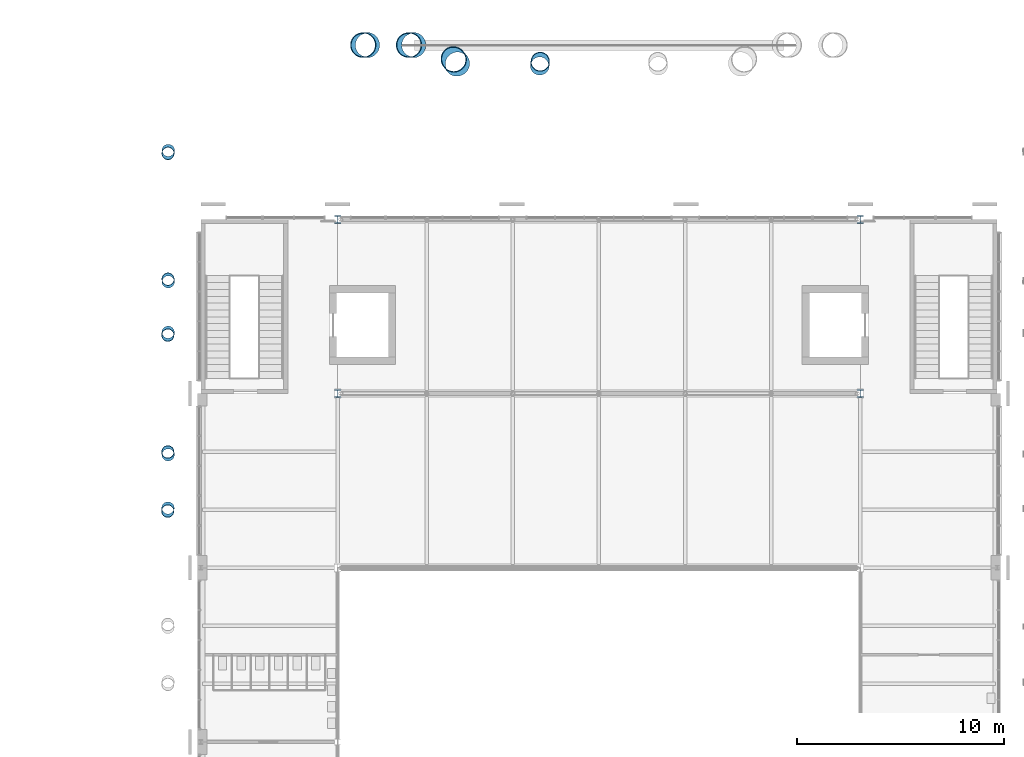
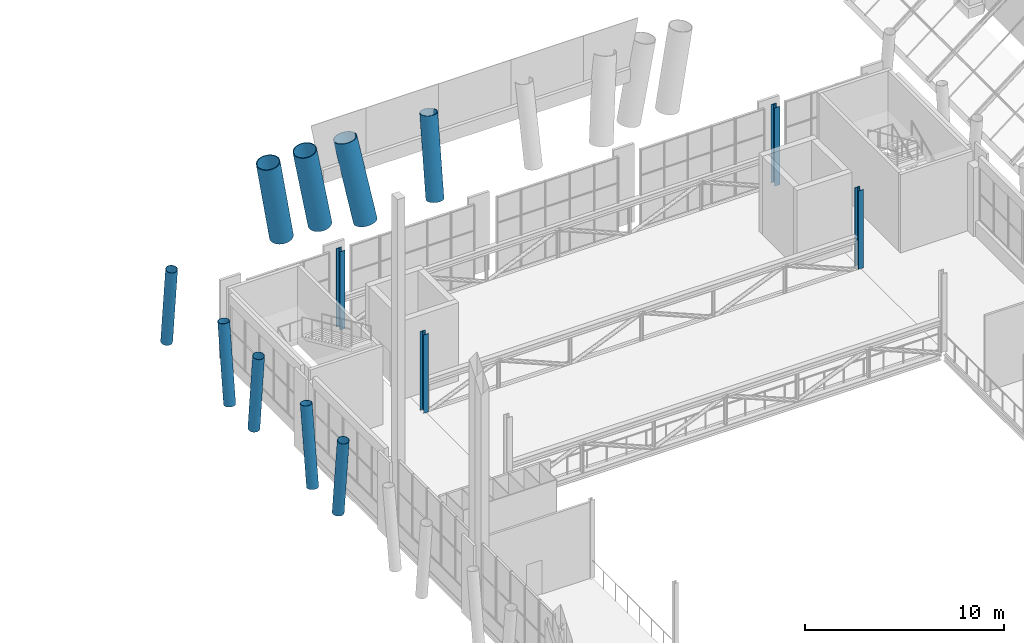
# One storey, part 8 of 76: 13 columns.
"""IFC4 building model written with IfcOpenShell, lengths in metres."""

from ifc_helpers import new_model, si_unit, direction, frame, origin, origin_2d, place, context, subcontext, project, spatial, hollow_circle, i_section, extrude, material, material_profile, profile_set, type_object, element, save


model = new_model("IFC4")

# Units and contexts
model_context = context("Model", 3, precision=1e-05, world=origin(), true_north=direction((0.0, 1.0)))
body_context = subcontext(model_context, "Body", "Model", "MODEL_VIEW")
ifc_project = project(units=[si_unit("LENGTHUNIT", "METRE"), si_unit("AREAUNIT", "SQUARE_METRE"), si_unit("VOLUMEUNIT", "CUBIC_METRE"), si_unit("PLANEANGLEUNIT", "RADIAN"), si_unit("MASSUNIT", "GRAM", prefix="KILO")], contexts=[model_context])

# Site, building, storey
site_placement = place(None, origin())
site = spatial("IfcSite", under=ifc_project, at=site_placement, CompositionType="ELEMENT")
building_placement = place(site_placement, origin())
building = spatial("IfcBuilding", under=site, at=building_placement, Name="Sava Quay Ferry Terminal", CompositionType="ELEMENT")
storey_placement = place(building_placement, frame((0.0, 0.0, 6.0)))
storey = spatial("IfcBuildingStorey", under=building, at=storey_placement, Name="L01", CompositionType="ELEMENT", Elevation=6.0)

# Columns
ifc_material_1 = material(Name="Steel S355", Category="steel")
ifc_material_profile_1 = material_profile(ifc_material_1, i_section(OverallWidth=0.300048828125, OverallDepth=0.360107421875, WebThickness=0.012451171875, FlangeThickness=0.0224609375, at=origin_2d()), Name="HE 360 B")
ifc_profile_set_1 = profile_set([ifc_material_profile_1], Name="Steel S355")
column_type_1 = type_object("IfcColumnType", Name="Column HE 360 B", PredefinedType="COLUMN", material=ifc_profile_set_1)
for number, where, z_axis, x_axis, name in (
    (1, (50.39990234375, 92.39990234375, 0.0), (0.0, 0.0, 1.0), (1.0, 0.0, 0.0), "Column L01 50.4/92.4"),
    (2, (50.39990234375, 100.800048828125, 0.0), (0.0, 0.0, 1.0), (1.0, 0.0, 0.0), "Column L01 50.4/100.8"),
    (3, (75.60009765625, 92.39990234375, 0.0), (0.0, 0.0, 1.0), (1.0, 0.0, 0.0), "Column L01 75.6/92.4"),
    (4, (75.60009765625, 100.800048828125, 0.0), (0.0, 0.0, 1.0), (1.0, 0.0, 0.0), "Column L01 75.6/100.8"),
):
    element("IfcColumn", number, at=place(storey_placement, frame(where, z_axis=z_axis, x_axis=x_axis)), inside=storey, type_object=column_type_1, Name=name, PredefinedType="COLUMN", context=body_context, shape_type="SweptSolid", body=[
        extrude(i_section(OverallWidth=0.300048828125, OverallDepth=0.360107421875, WebThickness=0.012451171875, FlangeThickness=0.0224609375, at=origin_2d()), origin(), (0.0, 0.0, 1.0), 4.800048828125),
    ])
ifc_material_2 = material(Name="Steel S355", Category="steel")
ifc_material_profile_2 = material_profile(ifc_material_2, hollow_circle(Radius=0.609619140625, WallThickness=0.0400390625, at=origin_2d()), Name="CHS 1219 x 40.0")
ifc_profile_set_2 = profile_set([ifc_material_profile_2], Name="Steel S355")
column_type_2 = type_object("IfcColumnType", Name="V column CHS 1219x40", PredefinedType="COLUMN", material=ifc_profile_set_2)
column_1_placement = place(storey_placement, frame((51.819580078125, 109.199951171875, 0.0), z_axis=(-0.158589802725, 0.0, 0.987344557119), x_axis=(0.0, -1.0, 0.0)))
element("IfcColumn", 5, at=column_1_placement, inside=storey, type_object=column_type_2, Name="Departure hall prow V column D-PV7H0a part 2", PredefinedType="COLUMN", context=body_context, shape_type="SweptSolid", body=[
    extrude(hollow_circle(Radius=0.609619140625, WallThickness=0.0400390625, at=origin_2d()), origin(), (0.0, 0.0, 1.0), 4.861572265625),
])
column_2_placement = place(storey_placement, frame((54.0517578125, 109.199951171875, 0.0), z_axis=(-0.18039966294, 0.0, 0.983593392419), x_axis=(0.0, -1.0, 0.0)))
element("IfcColumn", 6, at=column_2_placement, inside=storey, type_object=column_type_2, Name="Departure hall prow V column D-PV7H0b part 2", PredefinedType="COLUMN", context=body_context, shape_type="SweptSolid", body=[
    extrude(hollow_circle(Radius=0.609619140625, WallThickness=0.0400390625, at=origin_2d()), origin(), (0.0, 0.0, 1.0), 4.880126953125),
])
column_3_placement = place(storey_placement, frame((56.15966796875, 108.302490234375, 0.0), z_axis=(-0.138042300451, 0.172862887916, 0.975224458916), x_axis=(-0.781415394348, -0.624011203005, 0.0)))
element("IfcColumn", 7, at=column_3_placement, inside=storey, type_object=column_type_2, Name="Departure hall prow V column D-PVTa part 2", PredefinedType="COLUMN", context=body_context, shape_type="SweptSolid", body=[
    extrude(hollow_circle(Radius=0.609619140625, WallThickness=0.0400390625, at=origin_2d()), origin(), (0.0, 0.0, 1.0), 4.921875),
])
ifc_material_3 = material(Name="Steel S355", Category="steel")
ifc_material_profile_3 = material_profile(ifc_material_3, hollow_circle(Radius=0.304931640625, WallThickness=0.02001953125, at=origin_2d()), Name="CHS 610 x 20.0")
ifc_profile_set_3 = profile_set([ifc_material_profile_3], Name="Steel S355")
column_type_3 = type_object("IfcColumnType", Name="V column CHS 610x20", PredefinedType="COLUMN", material=ifc_profile_set_3)
column_4_placement = place(storey_placement, frame((42.219482421875, 86.875244140625, 0.0), z_axis=(-0.010899610933, -0.12484091411, 0.992116900695), x_axis=(0.996210308302, -0.086977132819, 0.0)))
element("IfcColumn", 8, at=column_4_placement, inside=storey, type_object=column_type_3, Name="Departure hall V column D-VL4b part 2", PredefinedType="COLUMN", context=body_context, shape_type="SweptSolid", body=[
    extrude(hollow_circle(Radius=0.304931640625, WallThickness=0.02001953125, at=origin_2d()), origin(), (0.0, 0.0, 1.0), 4.838134765625),
])
for number, where, z_axis, x_axis, name in (
    (9, (42.2255859375, 89.453125, 0.0), (-0.010002982994, 0.115337425131, 0.993276003282), (-0.996260212041, -0.086403645197, 0.0), "Departure hall V column D-VL5a part 2"),
    (10, (42.2255859375, 95.3466796875, 0.0), (-0.010003041268, -0.115287576634, 0.993281789745), (0.996256952066, -0.086441225464, 0.0), "Departure hall V column D-VL5b part 2"),
):
    element("IfcColumn", number, at=place(storey_placement, frame(where, z_axis=z_axis, x_axis=x_axis)), inside=storey, type_object=column_type_3, Name=name, PredefinedType="COLUMN", context=body_context, shape_type="SweptSolid", body=[
        extrude(hollow_circle(Radius=0.304931640625, WallThickness=0.02001953125, at=origin_2d()), origin(), (0.0, 0.0, 1.0), 4.83251953125),
    ])
column_5_placement = place(storey_placement, frame((42.23095703125, 97.7919921875, 0.0), z_axis=(-0.009304391204, 0.10710163353, 0.994204540525), x_axis=(-0.996247644878, -0.086548426184, 0.0)))
element("IfcColumn", 11, at=column_5_placement, inside=storey, type_object=column_type_3, Name="Departure hall V column D-VL6a part 2", PredefinedType="COLUMN", context=body_context, shape_type="SweptSolid", body=[
    extrude(hollow_circle(Radius=0.304931640625, WallThickness=0.02001953125, at=origin_2d()), origin(), (0.0, 0.0, 1.0), 4.828125),
])
column_6_placement = place(storey_placement, frame((42.23095703125, 104.1162109375, 0.0), z_axis=(-0.009291302758, -0.119373041958, 0.992805997437), x_axis=(0.996984614132, -0.077599479273, 0.0)))
element("IfcColumn", 12, at=column_6_placement, inside=storey, type_object=column_type_3, Name="Departure hall V column D-VL6b part 2", PredefinedType="COLUMN", context=body_context, shape_type="SweptSolid", body=[
    extrude(hollow_circle(Radius=0.304931640625, WallThickness=0.02001953125, at=origin_2d()), origin(), (0.0, 0.0, 1.0), 4.834716796875),
])
ifc_material_4 = material(Name="Steel S355", Category="steel")
ifc_material_profile_4 = material_profile(ifc_material_4, hollow_circle(Radius=0.45703125, WallThickness=0.030029296875, at=origin_2d()), Name="CHS 914 x 30.0")
ifc_profile_set_4 = profile_set([ifc_material_profile_4], Name="Steel S355")
column_type_4 = type_object("IfcColumnType", Name="V column CHS 914x30", PredefinedType="COLUMN", material=ifc_profile_set_4)
column_7_placement = place(storey_placement, frame((60.14306640625, 108.207763671875, 0.0), z_axis=(0.019168645889, 0.162130614835, 0.986583106863), x_axis=(-0.993083303504, 0.117411891655, 0.0)))
element("IfcColumn", 13, at=column_7_placement, inside=storey, type_object=column_type_4, Name="Departure hall prow V column D-PVMa2.1 part 2", PredefinedType="COLUMN", context=body_context, shape_type="SweptSolid", body=[
    extrude(hollow_circle(Radius=0.45703125, WallThickness=0.030029296875, at=origin_2d()), origin(), (0.0, 0.0, 1.0), 4.865234375),
])

save(model, "model.ifc")
